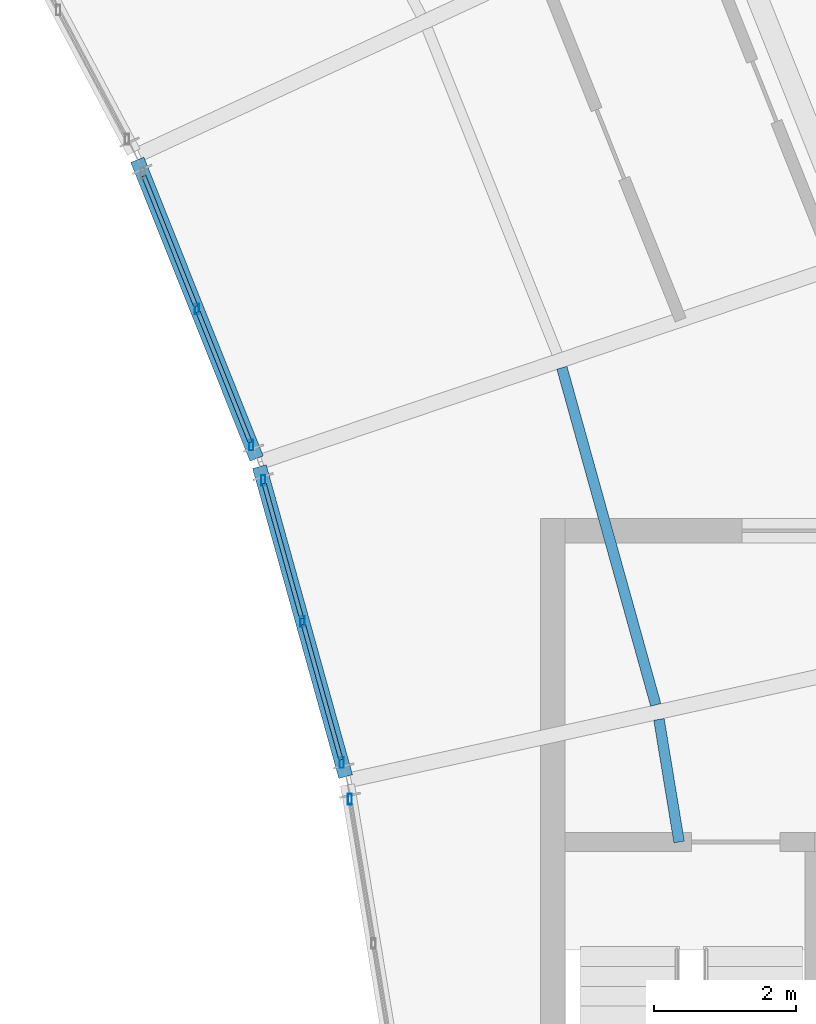
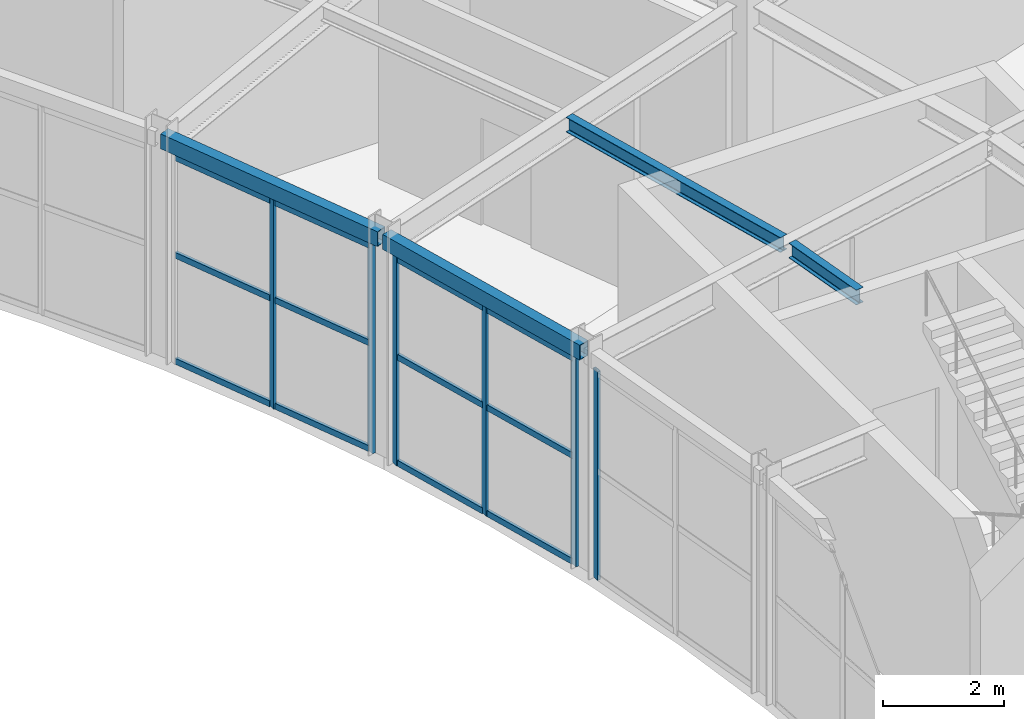
# One storey, part 70 of 108: 18 members, 4 beams, 3 elements without a shape of their own.
"""IFC4 building model written with IfcOpenShell, lengths in metres."""

from ifc_helpers import new_model, si_unit, direction, frame, origin, origin_2d, place, context, subcontext, project, spatial, hollow_rectangle, i_section, extrude, material, material_profile, profile_set, type_object, element, aggregate, save


model = new_model("IFC4")

# Units and contexts
model_context = context("Model", 3, precision=1e-05, world=origin(), true_north=direction((0.0, 1.0)))
body_context = subcontext(model_context, "Body", "Model", "MODEL_VIEW")
ifc_project = project(units=[si_unit("LENGTHUNIT", "METRE"), si_unit("AREAUNIT", "SQUARE_METRE"), si_unit("VOLUMEUNIT", "CUBIC_METRE"), si_unit("PLANEANGLEUNIT", "RADIAN"), si_unit("MASSUNIT", "GRAM", prefix="KILO")], contexts=[model_context])

# Site, building, storey
site_placement = place(None, origin())
site = spatial("IfcSite", under=ifc_project, at=site_placement, CompositionType="ELEMENT")
building_placement = place(site_placement, origin())
building = spatial("IfcBuilding", under=site, at=building_placement, Name="Tarnveldt Headland Concert Hall", CompositionType="ELEMENT")
storey_placement = place(building_placement, frame((0.0, 0.0, 9.60009765625)))
storey = spatial("IfcBuildingStorey", under=building, at=storey_placement, Name="L02", CompositionType="ELEMENT", Elevation=9.60009765625)

# Curtain wall, member
ifc_material_1 = material(Name="Marine-anodised aluminium EN AW-6063-T6", Category="aluminium")
curtain_wall_type = type_object("IfcCurtainWallType", Name="CW-C3", PredefinedType="NOTDEFINED", material=ifc_material_1)
curtain_wall_1_placement = place(storey_placement, origin())
curtain_wall_1 = element("IfcCurtainWall", 1, at=curtain_wall_1_placement, inside=storey, type_object=curtain_wall_type, Name="Curtain wall CW-L02-128", PredefinedType="NOTDEFINED")
ifc_material_profile_1 = material_profile(ifc_material_1, hollow_rectangle(XDim=0.06005859375, YDim=0.14990234375, WallThickness=0.00390625, at=origin_2d()), Name="ALU MULLION 60x150x4", Category="aluminium")
ifc_profile_set_1 = profile_set([ifc_material_profile_1], Name="Marine-anodised aluminium EN AW-6063-T6")
member_type_1 = type_object("IfcMemberType", Name="ML-150", PredefinedType="MULLION", material=ifc_profile_set_1)
member_1_placement = place(storey_placement, frame((159.53271484375, 69.004638671875, 0.0), z_axis=(0.0, 0.0, 1.0), x_axis=(1.0, 0.0, 0.0)))
member_1 = element("IfcMember", 2, at=member_1_placement, type_object=member_type_1, Name="Mullion CW-L02-128-3", PredefinedType="MULLION", context=body_context, shape_type="SweptSolid", body=[
    extrude(hollow_rectangle(XDim=0.06005859375, YDim=0.14990234375, WallThickness=0.00390625, at=origin_2d()), origin(), (0.0, 0.0, 1.0), 4.18994140625),
])
aggregate(curtain_wall_1, [member_1])

# Curtain wall, members
curtain_wall_2_placement = place(storey_placement, origin())
curtain_wall_2 = element("IfcCurtainWall", 3, at=curtain_wall_2_placement, inside=storey, type_object=curtain_wall_type, Name="Curtain wall CW-L02-129", PredefinedType="NOTDEFINED")
member_2_placement = place(storey_placement, frame((159.418701171875, 69.521484375, 0.0), z_axis=(0.0, 0.0, 1.0), x_axis=(1.0, 0.0, 0.0)))
member_2 = element("IfcMember", 4, at=member_2_placement, type_object=member_type_1, Name="Mullion CW-L02-129-1", PredefinedType="MULLION", context=body_context, shape_type="SweptSolid", body=[
    extrude(hollow_rectangle(XDim=0.06005859375, YDim=0.14990234375, WallThickness=0.00390625, at=origin_2d()), origin(), (0.0, 0.0, 1.0), 4.18994140625),
])
member_3_placement = place(storey_placement, frame((158.864013671875, 71.514404296875, 0.0), z_axis=(0.0, 0.0, 1.0), x_axis=(1.0, 0.0, 0.0)))
member_3 = element("IfcMember", 5, at=member_3_placement, type_object=member_type_1, Name="Mullion CW-L02-129-2", PredefinedType="MULLION", context=body_context, shape_type="SweptSolid", body=[
    extrude(hollow_rectangle(XDim=0.06005859375, YDim=0.14990234375, WallThickness=0.00390625, at=origin_2d()), origin(), (0.0, 0.0, 1.0), 4.18994140625),
])
member_4_placement = place(storey_placement, frame((158.30908203125, 73.50732421875, 0.0), z_axis=(0.0, 0.0, 1.0), x_axis=(1.0, 0.0, 0.0)))
member_4 = element("IfcMember", 6, at=member_4_placement, type_object=member_type_1, Name="Mullion CW-L02-129-3", PredefinedType="MULLION", context=body_context, shape_type="SweptSolid", body=[
    extrude(hollow_rectangle(XDim=0.06005859375, YDim=0.14990234375, WallThickness=0.00390625, at=origin_2d()), origin(), (0.0, 0.0, 1.0), 4.18994140625),
])

curtain_wall_3_placement = place(storey_placement, origin())
curtain_wall_3 = element("IfcCurtainWall", 7, at=curtain_wall_3_placement, inside=storey, type_object=curtain_wall_type, Name="Curtain wall CW-L02-130", PredefinedType="NOTDEFINED")
member_5_placement = place(storey_placement, frame((158.139892578125, 74.0087890625, 0.0), z_axis=(0.0, 0.0, 1.0), x_axis=(1.0, 0.0, 0.0)))
member_5 = element("IfcMember", 8, at=member_5_placement, type_object=member_type_1, Name="Mullion CW-L02-130-1", PredefinedType="MULLION", context=body_context, shape_type="SweptSolid", body=[
    extrude(hollow_rectangle(XDim=0.06005859375, YDim=0.14990234375, WallThickness=0.00390625, at=origin_2d()), origin(), (0.0, 0.0, 1.0), 4.18994140625),
])
member_6_placement = place(storey_placement, frame((157.372314453125, 75.9296875, 0.0), z_axis=(0.0, 0.0, 1.0), x_axis=(1.0, 0.0, 0.0)))
member_6 = element("IfcMember", 9, at=member_6_placement, type_object=member_type_1, Name="Mullion CW-L02-130-2", PredefinedType="MULLION", context=body_context, shape_type="SweptSolid", body=[
    extrude(hollow_rectangle(XDim=0.06005859375, YDim=0.14990234375, WallThickness=0.00390625, at=origin_2d()), origin(), (0.0, 0.0, 1.0), 4.18994140625),
])

# Beams
ifc_material_2 = material(Name="Steel S355", Category="steel")
ifc_material_profile_2 = material_profile(ifc_material_2, i_section(OverallWidth=0.14990234375, OverallDepth=0.300048828125, WebThickness=0.007080078125, FlangeThickness=0.0107421875, FilletRadius=0.014892578125, at=origin_2d()), Name="IPE300", Category="steel")
ifc_profile_set_2 = profile_set([ifc_material_profile_2], Name="Steel S355")
beam_type_1 = type_object("IfcBeamType", Name="SB-IPE300", PredefinedType="JOIST", material=ifc_profile_set_2)
beam_1_placement = place(storey_placement, frame((164.185791015625, 68.39990234375, 4.39990234375), z_axis=(-0.162278935667, 0.986744925013, 0.0), x_axis=(-0.986744925013, -0.162278935667, 0.0)))
element("IfcBeam", 10, at=beam_1_placement, inside=storey, type_object=beam_type_1, Name="Framing beam L02-1114", PredefinedType="JOIST", context=body_context, shape_type="SweptSolid", body=[
    extrude(i_section(OverallWidth=0.14990234375, OverallDepth=0.300048828125, WebThickness=0.007080078125, FlangeThickness=0.0107421875, FilletRadius=0.014892578125, at=origin_2d()), origin(), (0.0, 0.0, 1.0), 1.755615234375),
])
beam_2_placement = place(storey_placement, frame((163.855712890625, 70.337158203125, 4.39990234375), z_axis=(-0.268142838284, 0.963379166412, 0.0), x_axis=(-0.963379166412, -0.268142838284, 0.0)))
element("IfcBeam", 11, at=beam_2_placement, inside=storey, type_object=beam_type_1, Name="Framing beam L02-1121", PredefinedType="JOIST", context=body_context, shape_type="SweptSolid", body=[
    extrude(i_section(OverallWidth=0.14990234375, OverallDepth=0.300048828125, WebThickness=0.007080078125, FlangeThickness=0.0107421875, FilletRadius=0.014892578125, at=origin_2d()), origin(), (0.0, 0.0, 1.0), 4.94580078125),
])
ifc_material_profile_3 = material_profile(ifc_material_2, hollow_rectangle(XDim=0.199951171875, YDim=0.300048828125, WallThickness=0.012451171875, at=origin_2d()), Name="RHS 300x200x12.5", Category="steel")
ifc_profile_set_3 = profile_set([ifc_material_profile_3], Name="Steel S355")
beam_type_2 = type_object("IfcBeamType", Name="SB-RHS300", PredefinedType="SPANDREL", material=ifc_profile_set_3)
for number, where, z_axis, x_axis, name in (
    (12, (159.4736328125, 69.323974609375, 4.39990234375), (-0.268169932327, 0.963371624761, 0.0), (-0.963371624761, -0.268169932327, 0.0), "Framing beam L02-1118"),
    (13, (158.2158203125, 73.818359375, 4.39990234375), (-0.370983353144, 0.928639516546, 0.0), (-0.928639516546, -0.370983353144, 0.0), "Framing beam L02-1125"),
):
    element("IfcBeam", number, at=place(storey_placement, frame(where, z_axis=z_axis, x_axis=x_axis)), inside=storey, type_object=beam_type_2, Name=name, PredefinedType="SPANDREL", context=body_context, shape_type="SweptSolid", body=[
        extrude(hollow_rectangle(XDim=0.199951171875, YDim=0.300048828125, WallThickness=0.012451171875, at=origin_2d()), origin(), (0.0, 0.0, 1.0), 4.54736328125),
    ])

# Member
ifc_material_profile_4 = material_profile(ifc_material_1, hollow_rectangle(XDim=0.06005859375, YDim=0.1201171875, WallThickness=0.00390625, at=origin_2d()), Name="ALU TRANSOM 60x120x4", Category="aluminium")
ifc_profile_set_4 = profile_set([ifc_material_profile_4], Name="Marine-anodised aluminium EN AW-6063-T6")
member_type_2 = type_object("IfcMemberType", Name="TR-110", PredefinedType="MEMBER", material=ifc_profile_set_4)
member_7_placement = place(storey_placement, frame((159.4072265625, 69.56201171875, 0.0498046875), z_axis=(-0.268037189163, 0.963408566095, 0.0), x_axis=(-0.963408566095, -0.268037189163, 0.0)))
member_7 = element("IfcMember", 14, at=member_7_placement, type_object=member_type_2, Name="Transom CW-L02-129-1-1", PredefinedType="MEMBER", context=body_context, shape_type="SweptSolid", body=[
    extrude(hollow_rectangle(XDim=0.06005859375, YDim=0.1201171875, WallThickness=0.00390625, at=origin_2d()), origin(), (0.0, 0.0, 1.0), 1.984619140625),
])

member_8_placement = place(storey_placement, frame((159.4072265625, 69.56201171875, 2.1787109375), z_axis=(-0.268037189163, 0.963408566095, 0.0), x_axis=(-0.963408566095, -0.268037189163, 0.0)))
member_8 = element("IfcMember", 15, at=member_8_placement, type_object=member_type_2, Name="Transom CW-L02-129-1-2", PredefinedType="MEMBER", context=body_context, shape_type="SweptSolid", body=[
    extrude(hollow_rectangle(XDim=0.06005859375, YDim=0.1201171875, WallThickness=0.00390625, at=origin_2d()), origin(), (0.0, 0.0, 1.0), 1.984619140625),
])

member_9_placement = place(storey_placement, frame((159.4072265625, 69.56201171875, 4.139892578125), z_axis=(-0.268037189163, 0.963408566095, 0.0), x_axis=(-0.963408566095, -0.268037189163, 0.0)))
member_9 = element("IfcMember", 16, at=member_9_placement, type_object=member_type_2, Name="Transom CW-L02-129-1-3", PredefinedType="MEMBER", context=body_context, shape_type="SweptSolid", body=[
    extrude(hollow_rectangle(XDim=0.06005859375, YDim=0.1201171875, WallThickness=0.00390625, at=origin_2d()), origin(), (0.0, 0.0, 1.0), 1.984619140625),
])

member_10_placement = place(storey_placement, frame((158.8525390625, 71.554931640625, 0.0498046875), z_axis=(-0.268068957381, 0.963399727054, 0.0), x_axis=(-0.963399727054, -0.268068957381, 0.0)))
member_10 = element("IfcMember", 17, at=member_10_placement, type_object=member_type_2, Name="Transom CW-L02-129-2-1", PredefinedType="MEMBER", context=body_context, shape_type="SweptSolid", body=[
    extrude(hollow_rectangle(XDim=0.06005859375, YDim=0.1201171875, WallThickness=0.00390625, at=origin_2d()), origin(), (0.0, 0.0, 1.0), 1.984619140625),
])

member_11_placement = place(storey_placement, frame((158.8525390625, 71.554931640625, 2.1787109375), z_axis=(-0.268068957381, 0.963399727054, 0.0), x_axis=(-0.963399727054, -0.268068957381, 0.0)))
member_11 = element("IfcMember", 18, at=member_11_placement, type_object=member_type_2, Name="Transom CW-L02-129-2-2", PredefinedType="MEMBER", context=body_context, shape_type="SweptSolid", body=[
    extrude(hollow_rectangle(XDim=0.06005859375, YDim=0.1201171875, WallThickness=0.00390625, at=origin_2d()), origin(), (0.0, 0.0, 1.0), 1.984619140625),
])

member_12_placement = place(storey_placement, frame((158.8525390625, 71.554931640625, 4.139892578125), z_axis=(-0.268068957381, 0.963399727054, 0.0), x_axis=(-0.963399727054, -0.268068957381, 0.0)))
member_12 = element("IfcMember", 19, at=member_12_placement, type_object=member_type_2, Name="Transom CW-L02-129-2-3", PredefinedType="MEMBER", context=body_context, shape_type="SweptSolid", body=[
    extrude(hollow_rectangle(XDim=0.06005859375, YDim=0.1201171875, WallThickness=0.00390625, at=origin_2d()), origin(), (0.0, 0.0, 1.0), 1.984619140625),
])

aggregate(curtain_wall_2, [member_2, member_3, member_4, member_7, member_8, member_9, member_10, member_11, member_12])

member_13_placement = place(storey_placement, frame((158.124267578125, 74.0478515625, 0.0498046875), z_axis=(-0.37111495253, 0.92858693293, 0.0), x_axis=(-0.92858693293, -0.37111495253, 0.0)))
member_13 = element("IfcMember", 20, at=member_13_placement, type_object=member_type_2, Name="Transom CW-L02-130-1-1", PredefinedType="MEMBER", context=body_context, shape_type="SweptSolid", body=[
    extrude(hollow_rectangle(XDim=0.06005859375, YDim=0.1201171875, WallThickness=0.00390625, at=origin_2d()), origin(), (0.0, 0.0, 1.0), 1.98486328125),
])

member_14_placement = place(storey_placement, frame((158.124267578125, 74.0478515625, 2.1787109375), z_axis=(-0.37111495253, 0.92858693293, 0.0), x_axis=(-0.92858693293, -0.37111495253, 0.0)))
member_14 = element("IfcMember", 21, at=member_14_placement, type_object=member_type_2, Name="Transom CW-L02-130-1-2", PredefinedType="MEMBER", context=body_context, shape_type="SweptSolid", body=[
    extrude(hollow_rectangle(XDim=0.06005859375, YDim=0.1201171875, WallThickness=0.00390625, at=origin_2d()), origin(), (0.0, 0.0, 1.0), 1.98486328125),
])

member_15_placement = place(storey_placement, frame((158.124267578125, 74.0478515625, 4.139892578125), z_axis=(-0.37111495253, 0.92858693293, 0.0), x_axis=(-0.92858693293, -0.37111495253, 0.0)))
member_15 = element("IfcMember", 22, at=member_15_placement, type_object=member_type_2, Name="Transom CW-L02-130-1-3", PredefinedType="MEMBER", context=body_context, shape_type="SweptSolid", body=[
    extrude(hollow_rectangle(XDim=0.06005859375, YDim=0.1201171875, WallThickness=0.00390625, at=origin_2d()), origin(), (0.0, 0.0, 1.0), 1.98486328125),
])

member_16_placement = place(storey_placement, frame((157.356689453125, 75.968994140625, 0.0498046875), z_axis=(-0.371008878758, 0.92862931888, 0.0), x_axis=(-0.92862931888, -0.371008878758, 0.0)))
member_16 = element("IfcMember", 23, at=member_16_placement, type_object=member_type_2, Name="Transom CW-L02-130-2-1", PredefinedType="MEMBER", context=body_context, shape_type="SweptSolid", body=[
    extrude(hollow_rectangle(XDim=0.06005859375, YDim=0.1201171875, WallThickness=0.00390625, at=origin_2d()), origin(), (0.0, 0.0, 1.0), 1.984619140625),
])

member_17_placement = place(storey_placement, frame((157.356689453125, 75.968994140625, 2.1787109375), z_axis=(-0.371008878758, 0.92862931888, 0.0), x_axis=(-0.92862931888, -0.371008878758, 0.0)))
member_17 = element("IfcMember", 24, at=member_17_placement, type_object=member_type_2, Name="Transom CW-L02-130-2-2", PredefinedType="MEMBER", context=body_context, shape_type="SweptSolid", body=[
    extrude(hollow_rectangle(XDim=0.06005859375, YDim=0.1201171875, WallThickness=0.00390625, at=origin_2d()), origin(), (0.0, 0.0, 1.0), 1.984619140625),
])

member_18_placement = place(storey_placement, frame((157.356689453125, 75.968994140625, 4.139892578125), z_axis=(-0.371008878758, 0.92862931888, 0.0), x_axis=(-0.92862931888, -0.371008878758, 0.0)))
member_18 = element("IfcMember", 25, at=member_18_placement, type_object=member_type_2, Name="Transom CW-L02-130-2-3", PredefinedType="MEMBER", context=body_context, shape_type="SweptSolid", body=[
    extrude(hollow_rectangle(XDim=0.06005859375, YDim=0.1201171875, WallThickness=0.00390625, at=origin_2d()), origin(), (0.0, 0.0, 1.0), 1.984619140625),
])

aggregate(curtain_wall_3, [member_5, member_6, member_13, member_14, member_15, member_16, member_17, member_18])

save(model, "model.ifc")
